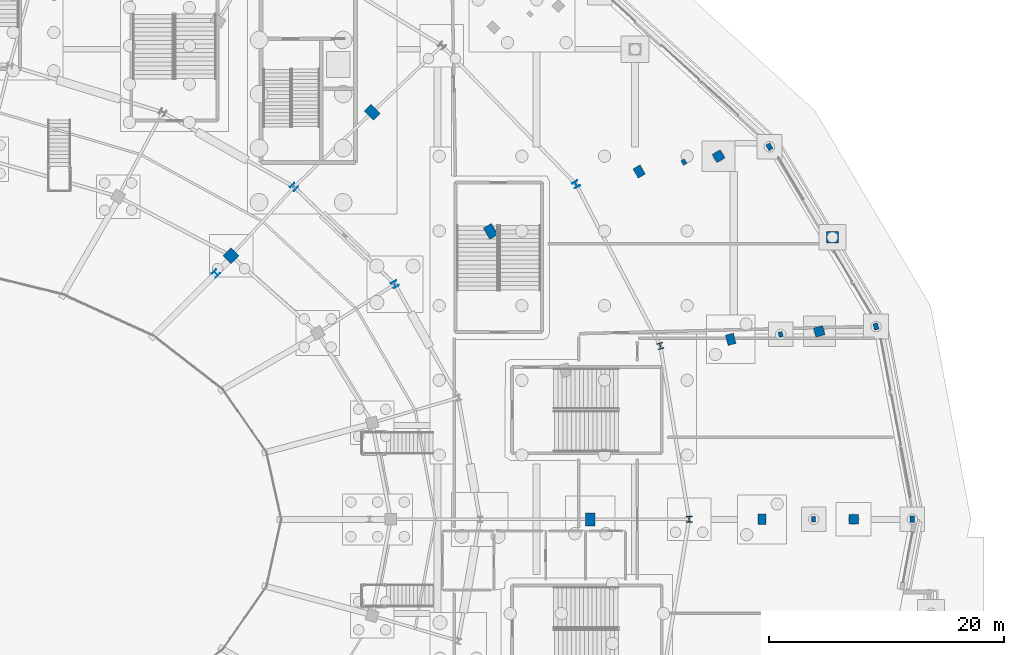
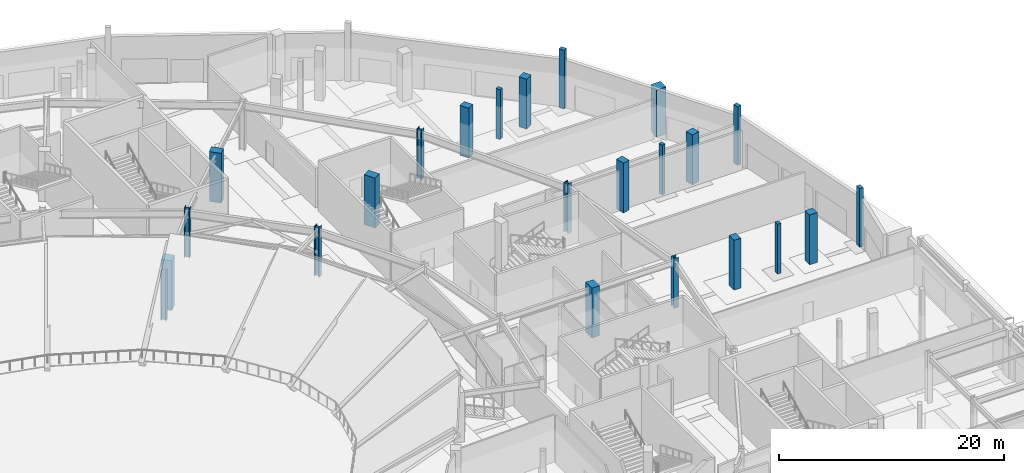
# One storey, part 31 of 93: 23 columns.
"""IFC4 building model written with IfcOpenShell, lengths in metres."""

from ifc_helpers import new_model, si_unit, direction, frame, origin, origin_2d, place, context, subcontext, project, spatial, rectangle, i_section, extrude, material, material_profile, profile_set, type_object, element, save


model = new_model("IFC4")

# Units and contexts
model_context = context("Model", 3, precision=1e-05, world=origin(), true_north=direction((0.0, 1.0)))
body_context = subcontext(model_context, "Body", "Model", "MODEL_VIEW")
ifc_project = project(units=[si_unit("LENGTHUNIT", "METRE"), si_unit("AREAUNIT", "SQUARE_METRE"), si_unit("VOLUMEUNIT", "CUBIC_METRE"), si_unit("PLANEANGLEUNIT", "RADIAN"), si_unit("MASSUNIT", "GRAM", prefix="KILO")], contexts=[model_context])

# Site, building, storey
site_placement = place(None, origin())
site = spatial("IfcSite", under=ifc_project, at=site_placement, CompositionType="ELEMENT")
building_placement = place(site_placement, origin())
building = spatial("IfcBuilding", under=site, at=building_placement, Name="Kalgoora Escarpment Arena", CompositionType="ELEMENT")
storey_placement = place(building_placement, origin())
storey = spatial("IfcBuildingStorey", under=building, at=storey_placement, Name="L00", CompositionType="ELEMENT", Elevation=0.0)

# Columns
ifc_material_1 = material(Name="Structural steel Grade 350 (350 MPa)", Category="steel")
ifc_material_profile_1 = material_profile(ifc_material_1, i_section(OverallWidth=0.5, OverallDepth=0.5, WebThickness=0.02001953125, FlangeThickness=0.034912109375, at=origin_2d()))
ifc_profile_set_1 = profile_set([ifc_material_profile_1], Name="Structural steel Grade 350 (350 MPa)")
column_type_1 = type_object("IfcColumnType", Name="COL-COL-500WC340", PredefinedType="COLUMN", material=ifc_profile_set_1)
for number, where, z_axis, x_axis, name in (
    (1, (164.199951171875, 64.0, 0.0), (0.0, 0.0, 1.0), (1.0, 0.0, 0.0), "L00 structural column COL-RCONC2-R01"),
    (2, (161.75341796875, 78.752685546875, 0.0), (0.0, 0.0, 1.0), (0.965925826289, 0.258819045103, 0.0), "L00 structural column COL-RCONC2-R02"),
    (3, (154.58056640625, 92.5, 0.0), (0.0, 0.0, 1.0), (0.866025403784, 0.5, 0.0), "L00 structural column COL-RCONC2-R03"),
):
    element("IfcColumn", number, at=place(storey_placement, frame(where, z_axis=z_axis, x_axis=x_axis)), inside=storey, type_object=column_type_1, Name=name, PredefinedType="COLUMN", context=body_context, shape_type="SweptSolid", body=[
        extrude(i_section(OverallWidth=0.5, OverallDepth=0.5, WebThickness=0.02001953125, FlangeThickness=0.034912109375, at=origin_2d()), origin(), (0.0, 0.0, 1.0), 5.39990234375),
    ])
ifc_material_2 = material(Name="Structural steel Grade 350 (350 MPa)", Category="steel")
ifc_material_profile_2 = material_profile(ifc_material_2, i_section(OverallWidth=0.5, OverallDepth=0.5, WebThickness=0.02490234375, FlangeThickness=0.0419921875, at=origin_2d()))
ifc_profile_set_2 = profile_set([ifc_material_profile_2], Name="Structural steel Grade 350 (350 MPa)")
column_type_2 = type_object("IfcColumnType", Name="COL-COL-500WC440", PredefinedType="COLUMN", material=ifc_profile_set_2)
for number, where, z_axis, x_axis, name in (
    (4, (139.165283203125, 84.0, 0.0), (0.0, 0.0, 1.0), (0.866025403784, 0.5, 0.0), "L00 structural column COL-RMAIN-R03"),
    (5, (130.583740234375, 92.2841796875, 0.0), (0.0, 0.0, 1.0), (0.707106781187, 0.707106781187, 0.0), "L00 structural column COL-RMAIN-R04"),
    (6, (123.93701171875, 84.930419921875, 0.0), (0.0, 0.0, 1.0), (0.707106781187, 0.707106781187, 0.0), "L00 structural column COL-TSPINE-S02"),
):
    element("IfcColumn", number, at=place(storey_placement, frame(where, z_axis=z_axis, x_axis=x_axis)), inside=storey, type_object=column_type_2, Name=name, PredefinedType="COLUMN", context=body_context, shape_type="SweptSolid", body=[
        extrude(i_section(OverallWidth=0.5, OverallDepth=0.5, WebThickness=0.02490234375, FlangeThickness=0.0419921875, at=origin_2d()), origin(), (0.0, 0.0, 1.0), 5.39990234375),
    ])
ifc_material_3 = material(Name="Concrete N50 (fc' 50 MPa)", Category="concrete")
ifc_material_profile_3 = material_profile(ifc_material_3, rectangle(XDim=1.0, YDim=1.0, at=origin_2d()))
ifc_profile_set_3 = profile_set([ifc_material_profile_3], Name="Concrete N50 (fc' 50 MPa)")
column_type_3 = type_object("IfcColumnType", Name="COL-COL-RC1000x1000", PredefinedType="COLUMN", material=ifc_profile_set_3)
column_1_placement = place(storey_placement, frame((176.39990234375, 88.0, 0.0), z_axis=(0.0, 0.0, 1.0), x_axis=(1.0, 0.0, 0.0)))
element("IfcColumn", 7, at=column_1_placement, inside=storey, type_object=column_type_3, Name="L00 structural column COL-G22-M", PredefinedType="COLUMN", context=body_context, shape_type="SweptSolid", body=[
    extrude(rectangle(XDim=1.0, YDim=1.0, at=origin_2d()), origin(), (0.0, 0.0, 1.0), 5.1201171875),
])
ifc_material_4 = material(Name="Concrete N50 (fc' 50 MPa)", Category="concrete")
ifc_material_profile_4 = material_profile(ifc_material_4, rectangle(XDim=0.800048828125, YDim=1.10009765625, at=origin_2d()))
ifc_profile_set_4 = profile_set([ifc_material_profile_4], Name="Concrete N50 (fc' 50 MPa)")
column_type_4 = type_object("IfcColumnType", Name="COL-COL-RC1100x800", PredefinedType="COLUMN", material=ifc_profile_set_4)
for number, where, z_axis, x_axis, name in (
    (8, (155.800048828125, 64.0, 0.0), (0.0, 0.0, 1.0), (1.0, 0.0, 0.0), "L00 structural column COL-RCONC1-R01"),
    (9, (147.305908203125, 88.5, 0.0), (0.0, 0.0, 1.0), (0.866025403784, 0.5, 0.0), "L00 structural column COL-RCONC1-R03"),
    (10, (137.230712890625, 98.648193359375, 0.0), (0.0, 0.0, 1.0), (0.707106781187, 0.707106781187, 0.0), "L00 structural column COL-RCONC1-R04"),
):
    element("IfcColumn", number, at=place(storey_placement, frame(where, z_axis=z_axis, x_axis=x_axis)), inside=storey, type_object=column_type_4, Name=name, PredefinedType="COLUMN", context=body_context, shape_type="SweptSolid", body=[
        extrude(rectangle(XDim=0.800048828125, YDim=1.10009765625, at=origin_2d()), origin(), (0.0, 0.0, 1.0), 5.39990234375),
    ])
ifc_material_5 = material(Name="Concrete N50 (fc' 50 MPa)", Category="concrete")
ifc_material_profile_5 = material_profile(ifc_material_5, rectangle(XDim=0.800048828125, YDim=0.800048828125, at=origin_2d()))
ifc_profile_set_5 = profile_set([ifc_material_profile_5], Name="Concrete N50 (fc' 50 MPa)")
column_type_5 = type_object("IfcColumnType", Name="COL-COL-RC800x800", PredefinedType="COLUMN", material=ifc_profile_set_5)
for number, where, z_axis, x_axis, name in (
    (11, (178.199951171875, 64.0, 0.0), (0.0, 0.0, 1.0), (1.0, 0.0, 0.0), "L00 structural column COL-RBASE2-R01"),
    (12, (175.2763671875, 79.9951171875, 0.0), (0.0, 0.0, 1.0), (0.965925826289, 0.258819045103, 0.0), "L00 structural column COL-RBASE2-R02"),
    (13, (166.705078125, 94.89990234375, 0.0), (0.0, 0.0, 1.0), (0.866025403784, 0.5, 0.0), "L00 structural column COL-RBASE2-R03"),
):
    element("IfcColumn", number, at=place(storey_placement, frame(where, z_axis=z_axis, x_axis=x_axis)), inside=storey, type_object=column_type_5, Name=name, PredefinedType="COLUMN", context=body_context, shape_type="SweptSolid", body=[
        extrude(rectangle(XDim=0.800048828125, YDim=0.800048828125, at=origin_2d()), origin(), (0.0, 0.0, 1.0), 5.39990234375),
    ])
ifc_material_6 = material(Name="Concrete N50 (fc' 50 MPa)", Category="concrete")
ifc_material_profile_6 = material_profile(ifc_material_6, rectangle(XDim=0.699951171875, YDim=0.89990234375, at=origin_2d()))
ifc_profile_set_6 = profile_set([ifc_material_profile_6], Name="Concrete N50 (fc' 50 MPa)")
column_type_6 = type_object("IfcColumnType", Name="COL-COL-RC900x700", PredefinedType="COLUMN", material=ifc_profile_set_6)
for number, where, z_axis, x_axis, name in (
    (14, (170.39990234375, 64.0, 0.0), (0.0, 0.0, 1.0), (1.0, 0.0, 0.0), "L00 structural column COL-RBASE1-R01"),
    (15, (167.7421875, 79.322021484375, 0.0), (0.0, 0.0, 1.0), (0.965925826289, 0.258819045103, 0.0), "L00 structural column COL-RBASE1-R02"),
    (16, (159.949951171875, 93.60009765625, 0.0), (0.0, 0.0, 1.0), (0.866025403784, 0.5, 0.0), "L00 structural column COL-RBASE1-R03"),
):
    element("IfcColumn", number, at=place(storey_placement, frame(where, z_axis=z_axis, x_axis=x_axis)), inside=storey, type_object=column_type_6, Name=name, PredefinedType="COLUMN", context=body_context, shape_type="SweptSolid", body=[
        extrude(rectangle(XDim=0.699951171875, YDim=0.89990234375, at=origin_2d()), origin(), (0.0, 0.0, 1.0), 5.39990234375),
    ])
ifc_material_7 = material(Name="Concrete N50 (fc' 50 MPa)", Category="concrete")
ifc_material_profile_7 = material_profile(ifc_material_7, rectangle(XDim=0.949951171875, YDim=0.949951171875, at=origin_2d()))
ifc_profile_set_7 = profile_set([ifc_material_profile_7], Name="Concrete N50 (fc' 50 MPa)")
column_type_7 = type_object("IfcColumnType", Name="COL-COL-RC950x950", PredefinedType="COLUMN", material=ifc_profile_set_7)
column_2_placement = place(storey_placement, frame((125.216796875, 86.429443359375, 0.0), z_axis=(0.0, 0.0, 1.0), x_axis=(0.707106781187, 0.707106781187, 0.0)))
element("IfcColumn", 17, at=column_2_placement, inside=storey, type_object=column_type_7, Name="L00 structural column COL-RMID-R04", PredefinedType="COLUMN", context=body_context, shape_type="SweptSolid", body=[
    extrude(rectangle(XDim=0.949951171875, YDim=0.949951171875, at=origin_2d()), origin(), (0.0, 0.0, 1.0), 5.39990234375),
])
ifc_material_8 = material(Name="Precast concrete N50 (fc' 50 MPa)", Category="concrete")
ifc_material_profile_8 = material_profile(ifc_material_8, rectangle(XDim=0.35009765625, YDim=0.449951171875, at=origin_2d()))
ifc_profile_set_8 = profile_set([ifc_material_profile_8], Name="Precast concrete N50 (fc' 50 MPa)")
column_type_8 = type_object("IfcColumnType", Name="COL-PIL-PC-PILASTER-450x350", PredefinedType="PILASTER", material=ifc_profile_set_8)
for number, where, z_axis, x_axis, name in (
    (18, (174.800048828125, 64.0, 0.0), (0.0, 0.0, 1.0), (1.0, 0.0, 0.0), "L00 fluted pilaster PIL-046"),
    (19, (171.991943359375, 79.736083984375, 0.0), (0.0, 0.0, 1.0), (0.965925826289, 0.258819045103, 0.0), "L00 fluted pilaster PIL-047"),
    (20, (163.760986328125, 94.39990234375, 0.0), (0.0, 0.0, 1.0), (0.866025403784, 0.5, 0.0), "L00 fluted pilaster PIL-048"),
):
    element("IfcColumn", number, at=place(storey_placement, frame(where, z_axis=z_axis, x_axis=x_axis)), inside=storey, type_object=column_type_8, Name=name, PredefinedType="PILASTER", context=body_context, shape_type="SweptSolid", body=[
        extrude(rectangle(XDim=0.35009765625, YDim=0.449951171875, at=origin_2d()), origin(), (0.0, 0.0, 1.0), 5.39990234375),
    ])
ifc_material_9 = material(Name="Precast concrete N50 (fc' 50 MPa)", Category="concrete")
ifc_material_profile_9 = material_profile(ifc_material_9, rectangle(XDim=0.39990234375, YDim=0.550048828125, at=origin_2d()))
ifc_profile_set_9 = profile_set([ifc_material_profile_9], Name="Precast concrete N50 (fc' 50 MPa)")
column_type_9 = type_object("IfcColumnType", Name="COL-PIL-PC-PILASTER-550x400", PredefinedType="PILASTER", material=ifc_profile_set_9)
for number, where, z_axis, x_axis, name in (
    (21, (183.199951171875, 64.0, 0.0), (0.0, 0.0, 1.0), (1.0, 0.0, 0.0), "L00 fluted pilaster PIL-022"),
    (22, (180.10595703125, 80.408935546875, 0.0), (0.0, 0.0, 1.0), (0.965925826289, 0.258819045103, 0.0), "L00 fluted pilaster PIL-023"),
    (23, (171.034912109375, 95.699951171875, 0.0), (0.0, 0.0, 1.0), (0.866025403784, 0.5, 0.0), "L00 fluted pilaster PIL-024"),
):
    element("IfcColumn", number, at=place(storey_placement, frame(where, z_axis=z_axis, x_axis=x_axis)), inside=storey, type_object=column_type_9, Name=name, PredefinedType="PILASTER", context=body_context, shape_type="SweptSolid", body=[
        extrude(rectangle(XDim=0.39990234375, YDim=0.550048828125, at=origin_2d()), origin(), (0.0, 0.0, 1.0), 6.35009765625),
    ])

save(model, "model.ifc")
